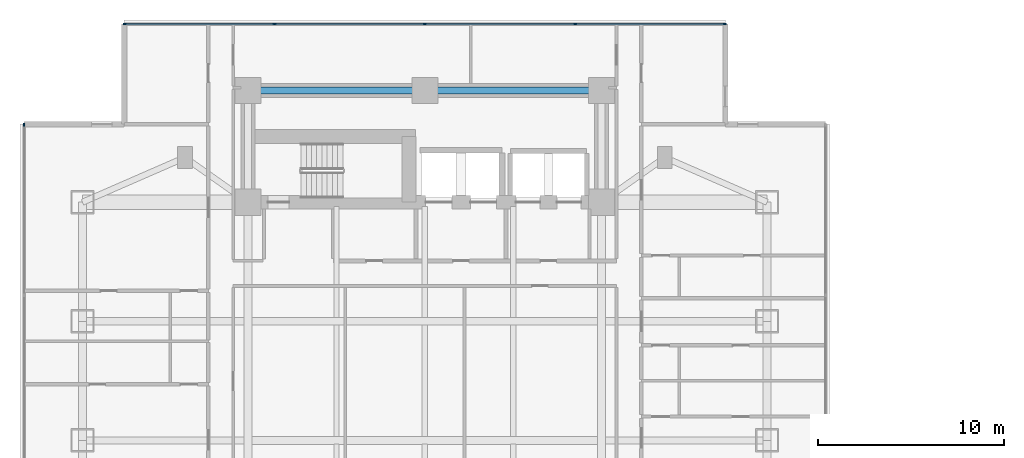
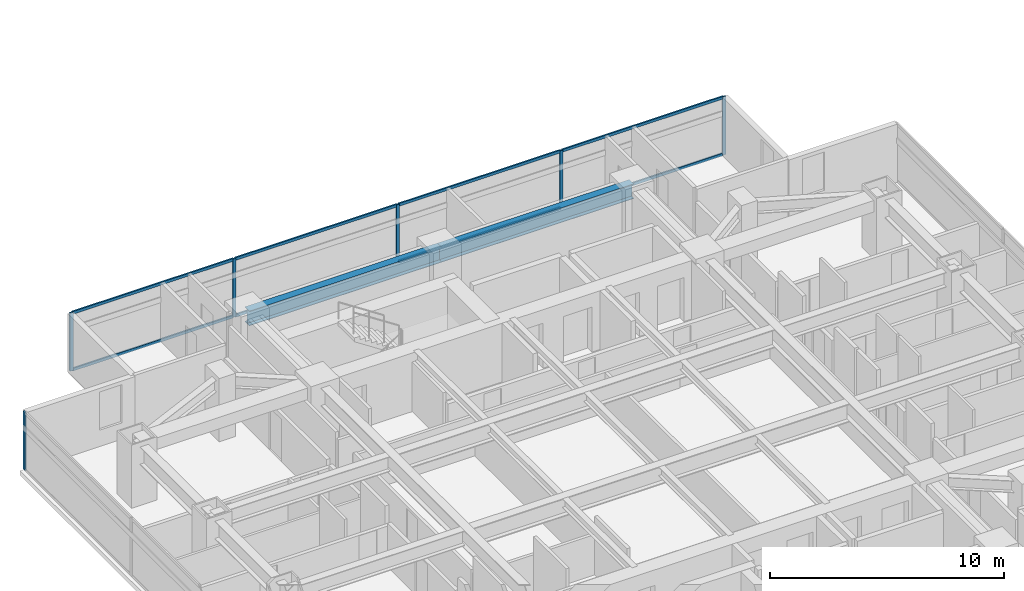
# One storey, part 6 of 23: 14 members, 2 beams, 2 elements without a shape of their own.
"""IFC4 building model written with IfcOpenShell, lengths in metres."""

import ifcopenshell
import ifcopenshell.guid

model = None  # the IFC model being written
_history = None  # IfcOwnerHistory: only IFC2X3 demands one
_inside = {}  # id of a spatial element -> (the spatial element, [elements in it])
_under = {}  # id of a project, library or spatial element -> (it, [spatial elements below it])
_declared = {}  # id of a project -> (the project, [libraries it declares])
_typed = {}  # id of a type object -> (the type object, [elements of that type])
_made_of = {}  # id of a material, layer set ... -> (it, [elements and type objects made of it])


def new_model(schema):
    """Start an empty IFC model of exactly this schema.

    Asked for "IFC4X3", IfcOpenShell would pick the latest addendum, in which some entities
    have other attributes; the version numbers below select the first issue.
    IFC2X3 requires an IfcOwnerHistory on every rooted entity: one is made here for all.
    """
    global model, _history
    if schema == "IFC4X3":
        model = ifcopenshell.file(schema_version=(4, 3, 0, 0))
    else:
        model = ifcopenshell.file(schema=schema)
    _inside.clear()
    _under.clear()
    _declared.clear()
    _typed.clear()
    _made_of.clear()
    _history = None
    if model.schema == "IFC2X3":
        org = make("IfcOrganization", Name="unknown")
        user = make(
            "IfcPersonAndOrganization",
            ThePerson=make("IfcPerson", FamilyName="unknown"),
            TheOrganization=org,
        )
        app = make(
            "IfcApplication",
            ApplicationDeveloper=org,
            Version="unknown",
            ApplicationFullName="unknown",
            ApplicationIdentifier="unknown",
        )
        _history = make(
            "IfcOwnerHistory",
            OwningUser=user,
            OwningApplication=app,
            ChangeAction="ADDED",
            CreationDate=0,
        )
    return model


def make(cls, **values):
    """One entity of the class cls with the attributes given. An attribute that is None is left unset."""
    return model.create_entity(
        cls, **{name: value for name, value in values.items() if value is not None}
    )


def rooted(cls, **values):
    """An entity with a GlobalId (a new one), such as an element, a storey or a relation."""
    return make(cls, GlobalId=ifcopenshell.guid.new(), OwnerHistory=_history, **values)


def si_unit(unit_type, name, prefix=None):
    """IfcSIUnit, for example si_unit("LENGTHUNIT", "METRE", prefix="MILLI")."""
    return make("IfcSIUnit", UnitType=unit_type, Prefix=prefix, Name=name)


def assignment(units):
    """IfcUnitAssignment: the units of a project."""
    return None if units is None else make("IfcUnitAssignment", Units=units)


def point(xyz):
    """IfcCartesianPoint."""
    return None if xyz is None else make("IfcCartesianPoint", Coordinates=xyz)


def direction(xyz):
    """IfcDirection."""
    return None if xyz is None else make("IfcDirection", DirectionRatios=xyz)


def frame(location, z_axis=None, x_axis=None):
    """IfcAxis2Placement3D, a coordinate frame: its origin and axes. An axis left out is left unset."""
    return make(
        "IfcAxis2Placement3D",
        Location=point(location),
        Axis=direction(z_axis),
        RefDirection=direction(x_axis),
    )


def frame_2d(location, x_axis=None):
    """IfcAxis2Placement2D, a coordinate frame in the plane: its origin and x axis."""
    return make(
        "IfcAxis2Placement2D", Location=point(location), RefDirection=direction(x_axis)
    )


def origin():
    """The frame at (0, 0, 0) with its axes left unset."""
    return frame((0.0, 0.0, 0.0))


def origin_2d():
    """The frame at (0, 0) in the plane with its x axis left unset."""
    return frame_2d((0.0, 0.0))


def place(relative_to, where):
    """IfcLocalPlacement: puts the frame where relative to a parent placement (None: the world)."""
    return make(
        "IfcLocalPlacement", PlacementRelTo=relative_to, RelativePlacement=where
    )


def context(
    kind, dimensions, precision=None, world=None, true_north=None, identifier=None
):
    """IfcGeometricRepresentationContext, for example the 3D "Model" context."""
    return make(
        "IfcGeometricRepresentationContext",
        ContextIdentifier=identifier,
        ContextType=kind,
        CoordinateSpaceDimension=dimensions,
        Precision=precision,
        WorldCoordinateSystem=world,
        TrueNorth=true_north,
    )


def subcontext(parent, identifier, kind, view, scale=None):
    """IfcGeometricRepresentationSubContext, for example "Body" below "Model"."""
    return make(
        "IfcGeometricRepresentationSubContext",
        ContextIdentifier=identifier,
        ContextType=kind,
        ParentContext=parent,
        TargetScale=scale,
        TargetView=view,
    )


def project(units=None, contexts=None):
    """IfcProject with its units and contexts."""
    return rooted(
        "IfcProject",
        Name="project",
        RepresentationContexts=contexts,
        UnitsInContext=assignment(units),
    )


def spatial(cls, under=None, at=None, **own):
    """A site, building, storey or space (cls), placed at a placement, below another one or the project."""
    s = rooted(cls, ObjectPlacement=at, **own)
    if under is not None:
        _under.setdefault(under.id(), (under, []))[1].append(s)
    return s


def profile(cls, at=None, kind="AREA", **sizes):
    """A parametric profile (cls). Its sizes go by their IFC names, for example OverallWidth=200.0."""
    return make(cls, ProfileType=kind, Position=at, **sizes)


def rectangle(**sizes):
    """IfcRectangleProfileDef."""
    return profile("IfcRectangleProfileDef", **sizes)


def i_section(**sizes):
    """IfcIShapeProfileDef."""
    return profile("IfcIShapeProfileDef", **sizes)


def extrude(swept, where, along, depth):
    """IfcExtrudedAreaSolid: the profile swept, set in the frame where, extruded along a direction by depth."""
    return make(
        "IfcExtrudedAreaSolid",
        SweptArea=swept,
        Position=where,
        ExtrudedDirection=direction(along),
        Depth=depth,
    )


def shape(context_of_items, identifier, shape_type, items):
    """IfcShapeRepresentation: the items that make up one representation, for example the "Body"."""
    return make(
        "IfcShapeRepresentation",
        ContextOfItems=context_of_items,
        RepresentationIdentifier=identifier,
        RepresentationType=shape_type,
        Items=items,
    )


def material(Name=None, Category=None):
    """IfcMaterial."""
    return make("IfcMaterial", Name=Name, Category=Category)


def material_profile(
    of_material, cross_section, Name=None, Category=None, Priority=None
):
    """IfcMaterialProfile: a cross section and its material."""
    return make(
        "IfcMaterialProfile",
        Name=Name,
        Material=of_material,
        Profile=cross_section,
        Priority=Priority,
        Category=Category,
    )


def profile_set(profiles, Name=None, composite=None):
    """IfcMaterialProfileSet."""
    return make(
        "IfcMaterialProfileSet",
        Name=Name,
        MaterialProfiles=profiles,
        CompositeProfile=composite,
    )


def made_of(thing, what):
    """Note that an element or type object is made of a material, layer set ...; save() writes the relation."""
    if what is not None:
        _made_of.setdefault(what.id(), (what, []))[1].append(thing)
    return thing


def type_object(cls, material=None, **own):
    """A type object (cls), such as IfcWallType, which elements share."""
    return made_of(rooted(cls, **own), material)


def element(
    cls,
    number,
    at=None,
    inside=None,
    cuts=None,
    type_object=None,
    material=None,
    context=None,
    identifier="Body",
    shape_type=None,
    held_by="IfcProductDefinitionShape",
    body=None,
    shapes=None,
    **own,
):
    """One element of the class cls, such as IfcWall. Its Tag is "e" and its number.

    at: its placement. inside: the storey or other place that contains it. cuts: it is an
    opening in that element (IfcRelVoidsElement). A single representation is given by context,
    identifier, shape_type and body (its items); several are given by shapes. held_by: the class
    of the entity that holds the representations. save() writes the other relations.
    """
    e = rooted(cls, Tag="e%d" % number, ObjectPlacement=at, **own)
    if body is not None:
        shapes = [shape(context, identifier, shape_type, body)]
    if shapes is not None:
        e.Representation = make(held_by, Representations=shapes)
    if inside is not None:
        _inside.setdefault(inside.id(), (inside, []))[1].append(e)
    if cuts is not None:
        rooted(
            "IfcRelVoidsElement", RelatingBuildingElement=cuts, RelatedOpeningElement=e
        )
    if type_object is not None:
        _typed.setdefault(type_object.id(), (type_object, []))[1].append(e)
    return made_of(e, material)


def aggregate(whole, parts):
    """IfcRelAggregates: a whole, such as a stair, and the parts it consists of."""
    return rooted("IfcRelAggregates", RelatingObject=whole, RelatedObjects=parts)


def save(model, path):
    """Write the relations noted so far, then the file.

    IfcRelAggregates (storeys below a building ...), IfcRelContainedInSpatialStructure (elements
    in a storey), IfcRelDefinesByType, IfcRelAssociatesMaterial and IfcRelDeclares: one each for
    every whole, place, type object, material and project.
    """
    for whole, parts in _under.values():
        aggregate(whole, parts)
    for where, things in _inside.values():
        rooted(
            "IfcRelContainedInSpatialStructure",
            RelatedElements=things,
            RelatingStructure=where,
        )
    for kind, things in _typed.values():
        rooted("IfcRelDefinesByType", RelatedObjects=things, RelatingType=kind)
    for what, things in _made_of.values():
        rooted("IfcRelAssociatesMaterial", RelatedObjects=things, RelatingMaterial=what)
    for by, libraries in _declared.values():
        rooted("IfcRelDeclares", RelatingContext=by, RelatedDefinitions=libraries)
    model.write(path)


model = new_model("IFC4")

# Units and contexts
model_context = context("Model", 3, precision=1e-05, world=origin(), true_north=direction((0.0, 1.0)))
body_context = subcontext(model_context, "Body", "Model", "MODEL_VIEW")
ifc_project = project(units=[si_unit("LENGTHUNIT", "METRE"), si_unit("AREAUNIT", "SQUARE_METRE"), si_unit("VOLUMEUNIT", "CUBIC_METRE"), si_unit("PLANEANGLEUNIT", "RADIAN"), si_unit("MASSUNIT", "GRAM", prefix="KILO")], contexts=[model_context])

# Site, building, storey
site_placement = place(None, origin())
site = spatial("IfcSite", under=ifc_project, at=site_placement, CompositionType="ELEMENT")
building_placement = place(site_placement, origin())
building = spatial("IfcBuilding", under=site, at=building_placement, Name="Mirazonda Arch Towers", CompositionType="ELEMENT")
storey_placement = place(building_placement, frame((0.0, 0.0, 29.0)))
storey = spatial("IfcBuildingStorey", under=building, at=storey_placement, Name="L07", CompositionType="ELEMENT", Elevation=29.0)

# Beams
ifc_material_1 = material(Name="Steel ASTM A992 Grade 50", Category="steel")
ifc_material_profile_1 = material_profile(ifc_material_1, i_section(OverallWidth=0.381103515625, OverallDepth=0.77294921875, WebThickness=0.0166015625, FlangeThickness=0.027099609375, at=origin_2d()), Name="W30X173")
ifc_profile_set_1 = profile_set([ifc_material_profile_1], Name="Steel ASTM A992 Grade 50")
beam_type = type_object("IfcBeamType", Name="BM-INT-W30X173", PredefinedType="USERDEFINED", material=ifc_profile_set_1)
for number, where, z_axis, x_axis, name in (
    (1, (11.0, 43.60009765625, 2.673583984375), (1.0, 0.0, 0.0), (0.0, 1.0, 0.0), "L07 Floor Beam BM-T1-L07-CN1"),
    (2, (20.5, 43.60009765625, 2.673583984375), (1.0, 0.0, 0.0), (0.0, 1.0, 0.0), "L07 Floor Beam BM-T1-L07-CN2"),
):
    element("IfcBeam", number, at=place(storey_placement, frame(where, z_axis=z_axis, x_axis=x_axis)), inside=storey, type_object=beam_type, Name=name, ObjectType="GIRDER", PredefinedType="USERDEFINED", context=body_context, shape_type="SweptSolid", body=[
        extrude(i_section(OverallWidth=0.381103515625, OverallDepth=0.77294921875, WebThickness=0.0166015625, FlangeThickness=0.027099609375, at=origin_2d()), origin(), (0.0, 0.0, 1.0), 9.5),
    ])

# Curtain wall, members
ifc_material_2 = material(Name="Anodised Aluminium and Low-E Glass", Category="aluminium")
curtain_wall_type = type_object("IfcCurtainWallType", Name="CW-HTL-UNIT", PredefinedType="NOTDEFINED", material=ifc_material_2)
curtain_wall_1_placement = place(storey_placement, origin())
curtain_wall_1 = element("IfcCurtainWall", 3, at=curtain_wall_1_placement, inside=storey, type_object=curtain_wall_type, Name="L07 T1 N Facade CW-L07-T1-N", PredefinedType="NOTDEFINED")
ifc_material_3 = material(Name="Anodised Aluminium Alloy", Category="aluminium")
ifc_material_profile_2 = material_profile(ifc_material_3, rectangle(XDim=0.074951171875, YDim=0.1650390625, at=origin_2d()), Name="ALU-MULL-75x165")
ifc_profile_set_2 = profile_set([ifc_material_profile_2], Name="Anodised Aluminium Alloy")
member_type_1 = type_object("IfcMemberType", Name="MULL-CW-HTL-UNIT", PredefinedType="MULLION", material=ifc_profile_set_2)
member_1_placement = place(storey_placement, frame((4.37744140625, 47.176025390625, 0.0), z_axis=(0.0, 0.0, 1.0), x_axis=(0.0, 1.0, 0.0)))
member_1 = element("IfcMember", 4, at=member_1_placement, type_object=member_type_1, Name="CW-112 mullion 1", PredefinedType="MULLION", context=body_context, shape_type="SweptSolid", body=[
    extrude(rectangle(XDim=0.074951171875, YDim=0.1650390625, at=origin_2d()), origin(), (0.0, 0.0, 1.0), 3.0400390625),
])
member_2_placement = place(storey_placement, frame((12.419921875, 47.176025390625, 0.0), z_axis=(0.0, 0.0, 1.0), x_axis=(0.0, 1.0, 0.0)))
member_2 = element("IfcMember", 5, at=member_2_placement, type_object=member_type_1, Name="CW-112 mullion 2", PredefinedType="MULLION", context=body_context, shape_type="SweptSolid", body=[
    extrude(rectangle(XDim=0.074951171875, YDim=0.1650390625, at=origin_2d()), origin(), (0.0, 0.0, 1.0), 3.0400390625),
])
member_3_placement = place(storey_placement, frame((20.5, 47.176025390625, 0.0), z_axis=(0.0, 0.0, 1.0), x_axis=(0.0, 1.0, 0.0)))
member_3 = element("IfcMember", 6, at=member_3_placement, type_object=member_type_1, Name="CW-112 mullion 3", PredefinedType="MULLION", context=body_context, shape_type="SweptSolid", body=[
    extrude(rectangle(XDim=0.074951171875, YDim=0.1650390625, at=origin_2d()), origin(), (0.0, 0.0, 1.0), 3.0400390625),
])
member_4_placement = place(storey_placement, frame((28.580078125, 47.176025390625, 0.0), z_axis=(0.0, 0.0, 1.0), x_axis=(0.0, 1.0, 0.0)))
member_4 = element("IfcMember", 7, at=member_4_placement, type_object=member_type_1, Name="CW-112 mullion 4", PredefinedType="MULLION", context=body_context, shape_type="SweptSolid", body=[
    extrude(rectangle(XDim=0.074951171875, YDim=0.1650390625, at=origin_2d()), origin(), (0.0, 0.0, 1.0), 3.0400390625),
])
member_5_placement = place(storey_placement, frame((36.62255859375, 47.176025390625, 0.0), z_axis=(0.0, 0.0, 1.0), x_axis=(0.0, 1.0, 0.0)))
member_5 = element("IfcMember", 8, at=member_5_placement, type_object=member_type_1, Name="CW-112 mullion 5", PredefinedType="MULLION", context=body_context, shape_type="SweptSolid", body=[
    extrude(rectangle(XDim=0.074951171875, YDim=0.1650390625, at=origin_2d()), origin(), (0.0, 0.0, 1.0), 3.0400390625),
])

# Curtain wall, member
curtain_wall_2_placement = place(storey_placement, origin())
curtain_wall_2 = element("IfcCurtainWall", 9, at=curtain_wall_2_placement, inside=storey, type_object=curtain_wall_type, Name="L07 T1 W Facade CW-L07-T1-W", PredefinedType="NOTDEFINED")
member_6_placement = place(storey_placement, frame((-1.0400390625, 41.758544921875, 0.0), z_axis=(0.0, 0.0, 1.0), x_axis=(1.0, 0.0, 0.0)))
member_6 = element("IfcMember", 10, at=member_6_placement, type_object=member_type_1, Name="CW-112 mullion 1", PredefinedType="MULLION", context=body_context, shape_type="SweptSolid", body=[
    extrude(rectangle(XDim=0.074951171875, YDim=0.1650390625, at=origin_2d()), origin(), (0.0, 0.0, 1.0), 3.0400390625),
])
aggregate(curtain_wall_2, [member_6])

# Member
ifc_material_profile_3 = material_profile(ifc_material_3, rectangle(XDim=0.074951171875, YDim=0.14501953125, at=origin_2d()), Name="ALU-TRAN-75x145")
ifc_profile_set_3 = profile_set([ifc_material_profile_3], Name="Anodised Aluminium Alloy")
member_type_2 = type_object("IfcMemberType", Name="TRAN-CW-HTL-UNIT", PredefinedType="USERDEFINED", material=ifc_profile_set_3)
member_7_placement = place(storey_placement, frame((4.4150390625, 47.176025390625, 0.03759765625), z_axis=(1.0, 0.0, 0.0), x_axis=(0.0, 1.0, 0.0)))
member_7 = element("IfcMember", 11, at=member_7_placement, type_object=member_type_2, Name="CW-112 transom 1.1", ObjectType="TRANSOM", PredefinedType="USERDEFINED", context=body_context, shape_type="SweptSolid", body=[
    extrude(rectangle(XDim=0.074951171875, YDim=0.14501953125, at=origin_2d()), origin(), (0.0, 0.0, 1.0), 7.967529296875),
])

member_8_placement = place(storey_placement, frame((4.4150390625, 47.176025390625, 3.00244140625), z_axis=(1.0, 0.0, 0.0), x_axis=(0.0, 1.0, 0.0)))
member_8 = element("IfcMember", 12, at=member_8_placement, type_object=member_type_2, Name="CW-112 transom 1.2", ObjectType="TRANSOM", PredefinedType="USERDEFINED", context=body_context, shape_type="SweptSolid", body=[
    extrude(rectangle(XDim=0.074951171875, YDim=0.14501953125, at=origin_2d()), origin(), (0.0, 0.0, 1.0), 7.967529296875),
])

member_9_placement = place(storey_placement, frame((12.45751953125, 47.176025390625, 0.03759765625), z_axis=(1.0, 0.0, 0.0), x_axis=(0.0, 1.0, 0.0)))
member_9 = element("IfcMember", 13, at=member_9_placement, type_object=member_type_2, Name="CW-112 transom 2.1", ObjectType="TRANSOM", PredefinedType="USERDEFINED", context=body_context, shape_type="SweptSolid", body=[
    extrude(rectangle(XDim=0.074951171875, YDim=0.14501953125, at=origin_2d()), origin(), (0.0, 0.0, 1.0), 8.0048828125),
])

member_10_placement = place(storey_placement, frame((12.45751953125, 47.176025390625, 3.00244140625), z_axis=(1.0, 0.0, 0.0), x_axis=(0.0, 1.0, 0.0)))
member_10 = element("IfcMember", 14, at=member_10_placement, type_object=member_type_2, Name="CW-112 transom 2.2", ObjectType="TRANSOM", PredefinedType="USERDEFINED", context=body_context, shape_type="SweptSolid", body=[
    extrude(rectangle(XDim=0.074951171875, YDim=0.14501953125, at=origin_2d()), origin(), (0.0, 0.0, 1.0), 8.0048828125),
])

member_11_placement = place(storey_placement, frame((20.53759765625, 47.176025390625, 0.03759765625), z_axis=(1.0, 0.0, 0.0), x_axis=(0.0, 1.0, 0.0)))
member_11 = element("IfcMember", 15, at=member_11_placement, type_object=member_type_2, Name="CW-112 transom 3.1", ObjectType="TRANSOM", PredefinedType="USERDEFINED", context=body_context, shape_type="SweptSolid", body=[
    extrude(rectangle(XDim=0.074951171875, YDim=0.14501953125, at=origin_2d()), origin(), (0.0, 0.0, 1.0), 8.0048828125),
])

member_12_placement = place(storey_placement, frame((20.53759765625, 47.176025390625, 3.00244140625), z_axis=(1.0, 0.0, 0.0), x_axis=(0.0, 1.0, 0.0)))
member_12 = element("IfcMember", 16, at=member_12_placement, type_object=member_type_2, Name="CW-112 transom 3.2", ObjectType="TRANSOM", PredefinedType="USERDEFINED", context=body_context, shape_type="SweptSolid", body=[
    extrude(rectangle(XDim=0.074951171875, YDim=0.14501953125, at=origin_2d()), origin(), (0.0, 0.0, 1.0), 8.0048828125),
])

member_13_placement = place(storey_placement, frame((28.617431640625, 47.176025390625, 0.03759765625), z_axis=(1.0, 0.0, 0.0), x_axis=(0.0, 1.0, 0.0)))
member_13 = element("IfcMember", 17, at=member_13_placement, type_object=member_type_2, Name="CW-112 transom 4.1", ObjectType="TRANSOM", PredefinedType="USERDEFINED", context=body_context, shape_type="SweptSolid", body=[
    extrude(rectangle(XDim=0.074951171875, YDim=0.14501953125, at=origin_2d()), origin(), (0.0, 0.0, 1.0), 7.967529296875),
])

member_14_placement = place(storey_placement, frame((28.617431640625, 47.176025390625, 3.00244140625), z_axis=(1.0, 0.0, 0.0), x_axis=(0.0, 1.0, 0.0)))
member_14 = element("IfcMember", 18, at=member_14_placement, type_object=member_type_2, Name="CW-112 transom 4.2", ObjectType="TRANSOM", PredefinedType="USERDEFINED", context=body_context, shape_type="SweptSolid", body=[
    extrude(rectangle(XDim=0.074951171875, YDim=0.14501953125, at=origin_2d()), origin(), (0.0, 0.0, 1.0), 7.967529296875),
])

aggregate(curtain_wall_1, [member_1, member_2, member_3, member_4, member_5, member_7, member_8, member_9, member_10, member_11, member_12, member_13, member_14])

save(model, "model.ifc")
